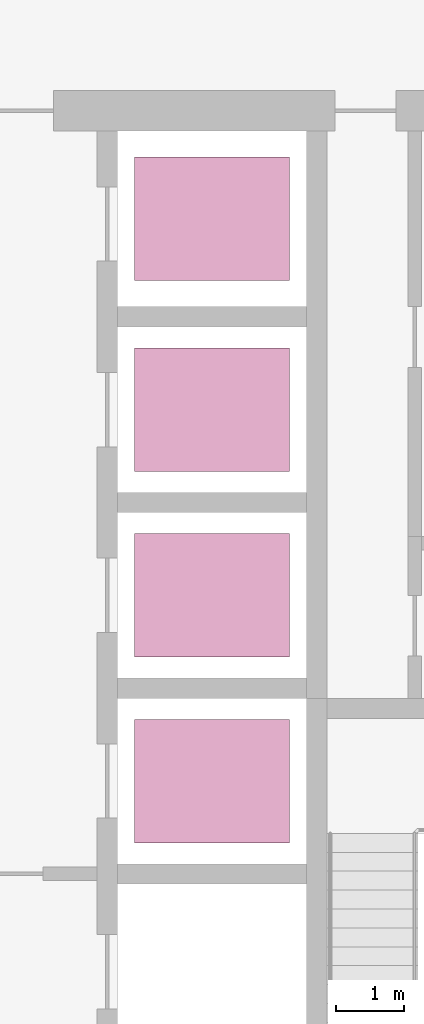
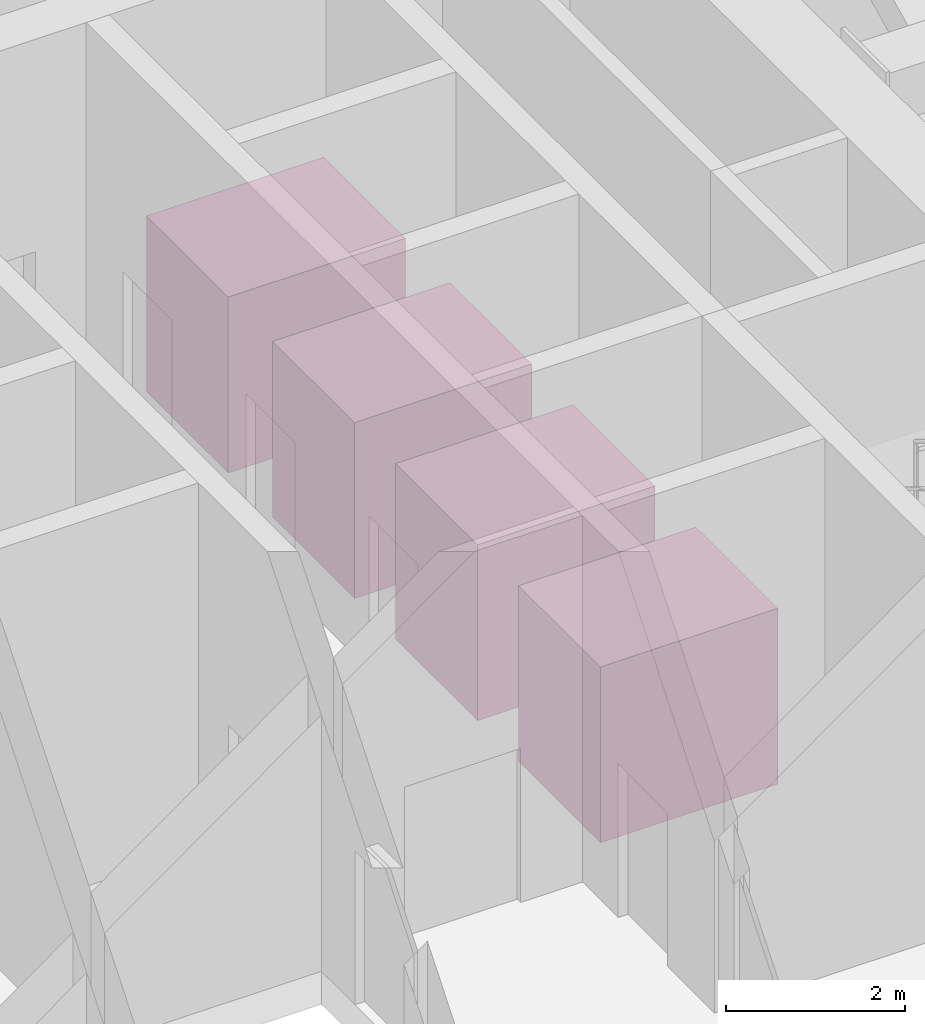
# One storey, part 11 of 11: 4 transport elements.
"""IFC4 building model written with IfcOpenShell, lengths in metres."""

import ifcopenshell
import ifcopenshell.guid

model = None  # the IFC model being written
_history = None  # IfcOwnerHistory: only IFC2X3 demands one
_inside = {}  # id of a spatial element -> (the spatial element, [elements in it])
_under = {}  # id of a project, library or spatial element -> (it, [spatial elements below it])
_declared = {}  # id of a project -> (the project, [libraries it declares])
_typed = {}  # id of a type object -> (the type object, [elements of that type])
_made_of = {}  # id of a material, layer set ... -> (it, [elements and type objects made of it])


def new_model(schema):
    """Start an empty IFC model of exactly this schema.

    Asked for "IFC4X3", IfcOpenShell would pick the latest addendum, in which some entities
    have other attributes; the version numbers below select the first issue.
    IFC2X3 requires an IfcOwnerHistory on every rooted entity: one is made here for all.
    """
    global model, _history
    if schema == "IFC4X3":
        model = ifcopenshell.file(schema_version=(4, 3, 0, 0))
    else:
        model = ifcopenshell.file(schema=schema)
    _inside.clear()
    _under.clear()
    _declared.clear()
    _typed.clear()
    _made_of.clear()
    _history = None
    if model.schema == "IFC2X3":
        org = make("IfcOrganization", Name="unknown")
        user = make(
            "IfcPersonAndOrganization",
            ThePerson=make("IfcPerson", FamilyName="unknown"),
            TheOrganization=org,
        )
        app = make(
            "IfcApplication",
            ApplicationDeveloper=org,
            Version="unknown",
            ApplicationFullName="unknown",
            ApplicationIdentifier="unknown",
        )
        _history = make(
            "IfcOwnerHistory",
            OwningUser=user,
            OwningApplication=app,
            ChangeAction="ADDED",
            CreationDate=0,
        )
    return model


def make(cls, **values):
    """One entity of the class cls with the attributes given. An attribute that is None is left unset."""
    return model.create_entity(
        cls, **{name: value for name, value in values.items() if value is not None}
    )


def rooted(cls, **values):
    """An entity with a GlobalId (a new one), such as an element, a storey or a relation."""
    return make(cls, GlobalId=ifcopenshell.guid.new(), OwnerHistory=_history, **values)


def si_unit(unit_type, name, prefix=None):
    """IfcSIUnit, for example si_unit("LENGTHUNIT", "METRE", prefix="MILLI")."""
    return make("IfcSIUnit", UnitType=unit_type, Prefix=prefix, Name=name)


def assignment(units):
    """IfcUnitAssignment: the units of a project."""
    return None if units is None else make("IfcUnitAssignment", Units=units)


def point(xyz):
    """IfcCartesianPoint."""
    return None if xyz is None else make("IfcCartesianPoint", Coordinates=xyz)


def direction(xyz):
    """IfcDirection."""
    return None if xyz is None else make("IfcDirection", DirectionRatios=xyz)


def frame(location, z_axis=None, x_axis=None):
    """IfcAxis2Placement3D, a coordinate frame: its origin and axes. An axis left out is left unset."""
    return make(
        "IfcAxis2Placement3D",
        Location=point(location),
        Axis=direction(z_axis),
        RefDirection=direction(x_axis),
    )


def frame_2d(location, x_axis=None):
    """IfcAxis2Placement2D, a coordinate frame in the plane: its origin and x axis."""
    return make(
        "IfcAxis2Placement2D", Location=point(location), RefDirection=direction(x_axis)
    )


def origin():
    """The frame at (0, 0, 0) with its axes left unset."""
    return frame((0.0, 0.0, 0.0))


def origin_2d():
    """The frame at (0, 0) in the plane with its x axis left unset."""
    return frame_2d((0.0, 0.0))


def place(relative_to, where):
    """IfcLocalPlacement: puts the frame where relative to a parent placement (None: the world)."""
    return make(
        "IfcLocalPlacement", PlacementRelTo=relative_to, RelativePlacement=where
    )


def context(
    kind, dimensions, precision=None, world=None, true_north=None, identifier=None
):
    """IfcGeometricRepresentationContext, for example the 3D "Model" context."""
    return make(
        "IfcGeometricRepresentationContext",
        ContextIdentifier=identifier,
        ContextType=kind,
        CoordinateSpaceDimension=dimensions,
        Precision=precision,
        WorldCoordinateSystem=world,
        TrueNorth=true_north,
    )


def subcontext(parent, identifier, kind, view, scale=None):
    """IfcGeometricRepresentationSubContext, for example "Body" below "Model"."""
    return make(
        "IfcGeometricRepresentationSubContext",
        ContextIdentifier=identifier,
        ContextType=kind,
        ParentContext=parent,
        TargetScale=scale,
        TargetView=view,
    )


def project(units=None, contexts=None):
    """IfcProject with its units and contexts."""
    return rooted(
        "IfcProject",
        Name="project",
        RepresentationContexts=contexts,
        UnitsInContext=assignment(units),
    )


def spatial(cls, under=None, at=None, **own):
    """A site, building, storey or space (cls), placed at a placement, below another one or the project."""
    s = rooted(cls, ObjectPlacement=at, **own)
    if under is not None:
        _under.setdefault(under.id(), (under, []))[1].append(s)
    return s


def profile(cls, at=None, kind="AREA", **sizes):
    """A parametric profile (cls). Its sizes go by their IFC names, for example OverallWidth=200.0."""
    return make(cls, ProfileType=kind, Position=at, **sizes)


def rectangle(**sizes):
    """IfcRectangleProfileDef."""
    return profile("IfcRectangleProfileDef", **sizes)


def extrude(swept, where, along, depth):
    """IfcExtrudedAreaSolid: the profile swept, set in the frame where, extruded along a direction by depth."""
    return make(
        "IfcExtrudedAreaSolid",
        SweptArea=swept,
        Position=where,
        ExtrudedDirection=direction(along),
        Depth=depth,
    )


def shape(context_of_items, identifier, shape_type, items):
    """IfcShapeRepresentation: the items that make up one representation, for example the "Body"."""
    return make(
        "IfcShapeRepresentation",
        ContextOfItems=context_of_items,
        RepresentationIdentifier=identifier,
        RepresentationType=shape_type,
        Items=items,
    )


def material(Name=None, Category=None):
    """IfcMaterial."""
    return make("IfcMaterial", Name=Name, Category=Category)


def made_of(thing, what):
    """Note that an element or type object is made of a material, layer set ...; save() writes the relation."""
    if what is not None:
        _made_of.setdefault(what.id(), (what, []))[1].append(thing)
    return thing


def type_object(cls, material=None, **own):
    """A type object (cls), such as IfcWallType, which elements share."""
    return made_of(rooted(cls, **own), material)


def element(
    cls,
    number,
    at=None,
    inside=None,
    cuts=None,
    type_object=None,
    material=None,
    context=None,
    identifier="Body",
    shape_type=None,
    held_by="IfcProductDefinitionShape",
    body=None,
    shapes=None,
    **own,
):
    """One element of the class cls, such as IfcWall. Its Tag is "e" and its number.

    at: its placement. inside: the storey or other place that contains it. cuts: it is an
    opening in that element (IfcRelVoidsElement). A single representation is given by context,
    identifier, shape_type and body (its items); several are given by shapes. held_by: the class
    of the entity that holds the representations. save() writes the other relations.
    """
    e = rooted(cls, Tag="e%d" % number, ObjectPlacement=at, **own)
    if body is not None:
        shapes = [shape(context, identifier, shape_type, body)]
    if shapes is not None:
        e.Representation = make(held_by, Representations=shapes)
    if inside is not None:
        _inside.setdefault(inside.id(), (inside, []))[1].append(e)
    if cuts is not None:
        rooted(
            "IfcRelVoidsElement", RelatingBuildingElement=cuts, RelatedOpeningElement=e
        )
    if type_object is not None:
        _typed.setdefault(type_object.id(), (type_object, []))[1].append(e)
    return made_of(e, material)


def aggregate(whole, parts):
    """IfcRelAggregates: a whole, such as a stair, and the parts it consists of."""
    return rooted("IfcRelAggregates", RelatingObject=whole, RelatedObjects=parts)


def save(model, path):
    """Write the relations noted so far, then the file.

    IfcRelAggregates (storeys below a building ...), IfcRelContainedInSpatialStructure (elements
    in a storey), IfcRelDefinesByType, IfcRelAssociatesMaterial and IfcRelDeclares: one each for
    every whole, place, type object, material and project.
    """
    for whole, parts in _under.values():
        aggregate(whole, parts)
    for where, things in _inside.values():
        rooted(
            "IfcRelContainedInSpatialStructure",
            RelatedElements=things,
            RelatingStructure=where,
        )
    for kind, things in _typed.values():
        rooted("IfcRelDefinesByType", RelatedObjects=things, RelatingType=kind)
    for what, things in _made_of.values():
        rooted("IfcRelAssociatesMaterial", RelatedObjects=things, RelatingMaterial=what)
    for by, libraries in _declared.values():
        rooted("IfcRelDeclares", RelatingContext=by, RelatedDefinitions=libraries)
    model.write(path)


model = new_model("IFC4")

# Units and contexts
model_context = context("Model", 3, precision=1e-05, world=origin(), true_north=direction((0.0, 1.0)))
body_context = subcontext(model_context, "Body", "Model", "MODEL_VIEW")
ifc_project = project(units=[si_unit("LENGTHUNIT", "METRE"), si_unit("AREAUNIT", "SQUARE_METRE"), si_unit("VOLUMEUNIT", "CUBIC_METRE"), si_unit("PLANEANGLEUNIT", "RADIAN"), si_unit("MASSUNIT", "GRAM", prefix="KILO")], contexts=[model_context])

# Site, building, storey
site_placement = place(None, origin())
site = spatial("IfcSite", under=ifc_project, at=site_placement, CompositionType="ELEMENT")
building_placement = place(site_placement, origin())
building = spatial("IfcBuilding", under=site, at=building_placement, Name="Finial Court Residences", CompositionType="ELEMENT")
storey_placement = place(building_placement, frame((0.0, 0.0, 199.699951171875)))
storey = spatial("IfcBuildingStorey", under=building, at=storey_placement, Name="L50", CompositionType="ELEMENT", Elevation=199.699951171875)

# Transport elements
ifc_material = material(Name="Stainless steel lift car", Category="steel")
transport_element_type = type_object("IfcTransportElementType", Name="Passenger lift car 1830 x 2290", PredefinedType="ELEVATOR", material=ifc_material)
for number, where, z_axis, x_axis, name in (
    (1, (8.050048828125, -18.125, 0.0), (0.0, 0.0, 1.0), (1.0, 0.0, 0.0), "Lift HR5 (high-rise)"),
    (2, (8.050048828125, -15.375, 0.0), (0.0, 0.0, 1.0), (1.0, 0.0, 0.0), "Lift HR6 (high-rise)"),
    (3, (8.050048828125, -12.625, 0.0), (0.0, 0.0, 1.0), (1.0, 0.0, 0.0), "Lift HR7 (high-rise)"),
    (4, (8.050048828125, -9.800048828125, 0.0), (0.0, 0.0, 1.0), (1.0, 0.0, 0.0), "Lift HR8 (high-rise)"),
):
    element("IfcTransportElement", number, at=place(storey_placement, frame(where, z_axis=z_axis, x_axis=x_axis)), inside=storey, type_object=transport_element_type, Name=name, PredefinedType="ELEVATOR", context=body_context, shape_type="SweptSolid", body=[
        extrude(rectangle(XDim=2.2900390625, YDim=1.830078125, at=origin_2d()), origin(), (0.0, 0.0, 1.0), 2.39990234375),
    ])

save(model, "model.ifc")
